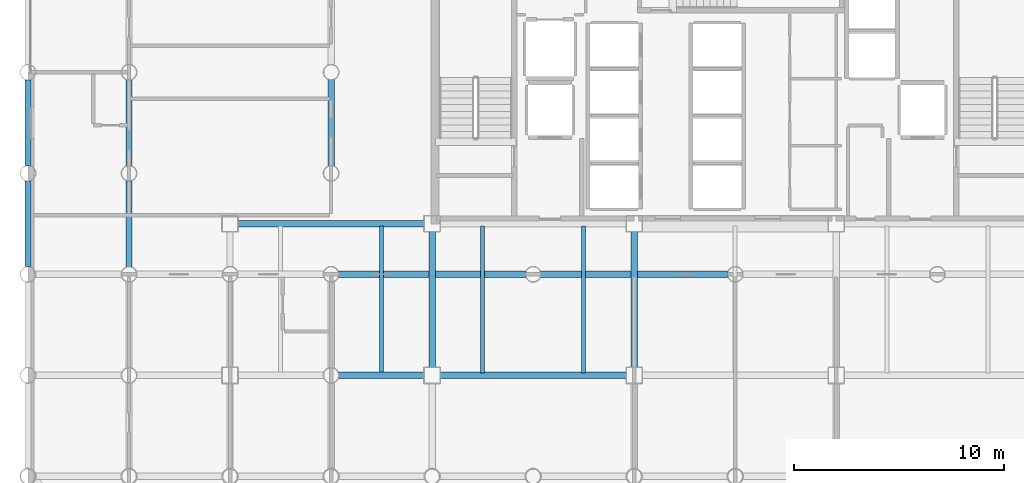
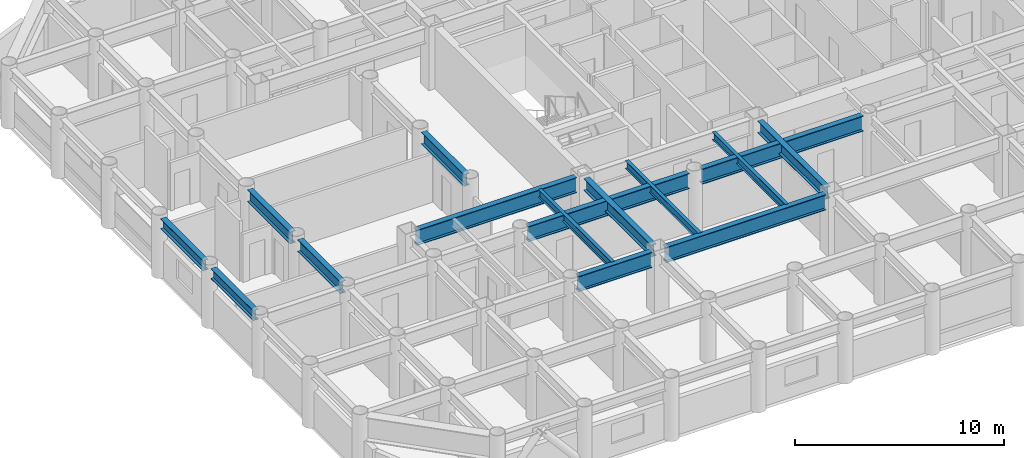
# One storey, part 3 of 21: 15 beams.
"""IFC4 building model written with IfcOpenShell, lengths in metres."""

from ifc_helpers import new_model, si_unit, direction, frame, origin, origin_2d, place, context, subcontext, project, spatial, i_section, extrude, material, material_profile, profile_set, type_object, element, save


model = new_model("IFC4")

# Units and contexts
model_context = context("Model", 3, precision=1e-05, world=origin(), true_north=direction((0.0, 1.0)))
body_context = subcontext(model_context, "Body", "Model", "MODEL_VIEW")
ifc_project = project(units=[si_unit("LENGTHUNIT", "METRE"), si_unit("AREAUNIT", "SQUARE_METRE"), si_unit("VOLUMEUNIT", "CUBIC_METRE"), si_unit("PLANEANGLEUNIT", "RADIAN"), si_unit("MASSUNIT", "GRAM", prefix="KILO")], contexts=[model_context])

# Site, building, storey
site_placement = place(None, origin())
site = spatial("IfcSite", under=ifc_project, at=site_placement, CompositionType="ELEMENT")
building_placement = place(site_placement, origin())
building = spatial("IfcBuilding", under=site, at=building_placement, Name="Kallvorn Hotel Tower", CompositionType="ELEMENT")
storey_placement = place(building_placement, frame((0.0, 0.0, 52.199951171875)))
storey = spatial("IfcBuildingStorey", under=building, at=storey_placement, Name="L11", CompositionType="ELEMENT", Elevation=52.199951171875)

# Beams
ifc_material_1 = material(Name="Structural steel S355JR", Category="steel")
ifc_material_profile_1 = material_profile(ifc_material_1, i_section(OverallWidth=0.300048828125, OverallDepth=0.60009765625, WebThickness=0.015380859375, FlangeThickness=0.030029296875, at=origin_2d()), Name="HE 600 B")
ifc_profile_set_1 = profile_set([ifc_material_profile_1], Name="Structural steel S355JR")
beam_type_1 = type_object("IfcBeamType", Name="BM_HE600B", PredefinedType="SPANDREL", material=ifc_profile_set_1)
beam_1_placement = place(storey_placement, frame((-33.60009765625, -9.22900390625, 3.219970703125), z_axis=(0.0, 1.0, 0.0), x_axis=(-1.0, 0.0, 0.0)))
element("IfcBeam", 1, at=beam_1_placement, inside=storey, type_object=beam_type_1, Name="L12 Perimeter Spandrel 176", PredefinedType="SPANDREL", context=body_context, shape_type="SweptSolid", body=[
    extrude(i_section(OverallWidth=0.300048828125, OverallDepth=0.60009765625, WebThickness=0.015380859375, FlangeThickness=0.030029296875, at=origin_2d()), origin(), (0.0, 0.0, 1.0), 4.05810546875),
])
beam_2_placement = place(storey_placement, frame((-33.60009765625, -4.428955078125, 3.219970703125), z_axis=(0.0, 1.0, 0.0), x_axis=(-1.0, 0.0, 0.0)))
element("IfcBeam", 2, at=beam_2_placement, inside=storey, type_object=beam_type_1, Name="L12 Perimeter Spandrel 177", PredefinedType="SPANDREL", context=body_context, shape_type="SweptSolid", body=[
    extrude(i_section(OverallWidth=0.300048828125, OverallDepth=0.60009765625, WebThickness=0.015380859375, FlangeThickness=0.030029296875, at=origin_2d()), origin(), (0.0, 0.0, 1.0), 4.057861328125),
])
ifc_material_2 = material(Name="Structural steel S355JR", Category="steel")
ifc_material_profile_2 = material_profile(ifc_material_2, i_section(OverallWidth=0.300048828125, OverallDepth=0.699951171875, WebThickness=0.01708984375, FlangeThickness=0.031982421875, at=origin_2d()), Name="HE 700 B")
ifc_profile_set_2 = profile_set([ifc_material_profile_2], Name="Structural steel S355JR")
beam_type_2 = type_object("IfcBeamType", Name="BM_HE700B", PredefinedType="BEAM", material=ifc_profile_set_2)
beam_3_placement = place(storey_placement, frame((-28.800048828125, -9.243896484375, 3.170166015625), z_axis=(0.0, 1.0, 0.0), x_axis=(-1.0, 0.0, 0.0)))
element("IfcBeam", 3, at=beam_3_placement, inside=storey, type_object=beam_type_2, Name="L12 Primary Y-Girder 76", PredefinedType="BEAM", context=body_context, shape_type="SweptSolid", body=[
    extrude(i_section(OverallWidth=0.300048828125, OverallDepth=0.699951171875, WebThickness=0.01708984375, FlangeThickness=0.031982421875, at=origin_2d()), origin(), (0.0, 0.0, 1.0), 4.087890625),
])
for number, where, z_axis, x_axis, name in (
    (4, (-28.800048828125, -4.444091796875, 3.170166015625), (0.0, 1.0, 0.0), (-1.0, 0.0, 0.0), "L12 Primary Y-Girder 77"),
    (5, (-19.199951171875, -4.444091796875, 3.170166015625), (0.0, 1.0, 0.0), (-1.0, 0.0, 0.0), "L12 Primary Y-Girder 93"),
):
    element("IfcBeam", number, at=place(storey_placement, frame(where, z_axis=z_axis, x_axis=x_axis)), inside=storey, type_object=beam_type_2, Name=name, PredefinedType="BEAM", context=body_context, shape_type="SweptSolid", body=[
        extrude(i_section(OverallWidth=0.300048828125, OverallDepth=0.699951171875, WebThickness=0.01708984375, FlangeThickness=0.031982421875, at=origin_2d()), origin(), (0.0, 0.0, 1.0), 4.088134765625),
    ])
for number, where, z_axis, x_axis, name in (
    (6, (-14.39990234375, -14.02490234375, 3.170166015625), (0.0, 1.0, 0.0), (-1.0, 0.0, 0.0), "L12 Primary Y-Girder 100"),
    (7, (-4.800048828125, -14.02490234375, 3.170166015625), (0.0, 1.0, 0.0), (-1.0, 0.0, 0.0), "L12 Primary Y-Girder 108"),
):
    element("IfcBeam", number, at=place(storey_placement, frame(where, z_axis=z_axis, x_axis=x_axis)), inside=storey, type_object=beam_type_2, Name=name, PredefinedType="BEAM", context=body_context, shape_type="SweptSolid", body=[
        extrude(i_section(OverallWidth=0.300048828125, OverallDepth=0.699951171875, WebThickness=0.01708984375, FlangeThickness=0.031982421875, at=origin_2d()), origin(), (0.0, 0.0, 1.0), 6.449951171875),
    ])
ifc_material_3 = material(Name="Structural steel S355JR", Category="steel")
ifc_material_profile_3 = material_profile(ifc_material_3, i_section(OverallWidth=0.300048828125, OverallDepth=0.89990234375, WebThickness=0.0185546875, FlangeThickness=0.034912109375, at=origin_2d()), Name="HE 900 B")
ifc_profile_set_3 = profile_set([ifc_material_profile_3], Name="Structural steel S355JR")
beam_type_3 = type_object("IfcBeamType", Name="BM_HE900B", PredefinedType="BEAM", material=ifc_profile_set_3)
beam_4_placement = place(storey_placement, frame((-18.843994140625, -14.39990234375, 3.070068359375), z_axis=(1.0, 0.0, 0.0), x_axis=(0.0, 1.0, 0.0)))
element("IfcBeam", 8, at=beam_4_placement, inside=storey, type_object=beam_type_3, Name="L12 Primary X-Girder 17", PredefinedType="BEAM", context=body_context, shape_type="SweptSolid", body=[
    extrude(i_section(OverallWidth=0.300048828125, OverallDepth=0.89990234375, WebThickness=0.0185546875, FlangeThickness=0.034912109375, at=origin_2d()), origin(), (0.0, 0.0, 1.0), 4.069091796875),
])
beam_5_placement = place(storey_placement, frame((-14.02490234375, -14.39990234375, 3.070068359375), z_axis=(1.0, 0.0, 0.0), x_axis=(0.0, 1.0, 0.0)))
element("IfcBeam", 9, at=beam_5_placement, inside=storey, type_object=beam_type_3, Name="L12 Primary X-Girder 18", PredefinedType="BEAM", context=body_context, shape_type="SweptSolid", body=[
    extrude(i_section(OverallWidth=0.300048828125, OverallDepth=0.89990234375, WebThickness=0.0185546875, FlangeThickness=0.034912109375, at=origin_2d()), origin(), (0.0, 0.0, 1.0), 8.849853515625),
])
for number, where, z_axis, x_axis, name in (
    (10, (-18.843994140625, -9.60009765625, 3.070068359375), (1.0, 0.0, 0.0), (0.0, 1.0, 0.0), "L12 Primary X-Girder 27"),
    (11, (-9.243896484375, -9.60009765625, 3.070068359375), (1.0, 0.0, 0.0), (0.0, 1.0, 0.0), "L12 Primary X-Girder 28"),
):
    element("IfcBeam", number, at=place(storey_placement, frame(where, z_axis=z_axis, x_axis=x_axis)), inside=storey, type_object=beam_type_3, Name=name, PredefinedType="BEAM", context=body_context, shape_type="SweptSolid", body=[
        extrude(i_section(OverallWidth=0.300048828125, OverallDepth=0.89990234375, WebThickness=0.0185546875, FlangeThickness=0.034912109375, at=origin_2d()), origin(), (0.0, 0.0, 1.0), 8.887939453125),
    ])
beam_6_placement = place(storey_placement, frame((-23.625, -7.199951171875, 3.070068359375), z_axis=(1.0, 0.0, 0.0), x_axis=(0.0, 1.0, 0.0)))
element("IfcBeam", 12, at=beam_6_placement, inside=storey, type_object=beam_type_3, Name="L12 Primary X-Girder 33", PredefinedType="BEAM", context=body_context, shape_type="SweptSolid", body=[
    extrude(i_section(OverallWidth=0.300048828125, OverallDepth=0.89990234375, WebThickness=0.0185546875, FlangeThickness=0.034912109375, at=origin_2d()), origin(), (0.0, 0.0, 1.0), 8.85009765625),
])
ifc_material_4 = material(Name="Structural steel S355JR", Category="steel")
ifc_material_profile_4 = material_profile(ifc_material_4, i_section(OverallWidth=0.18994140625, OverallDepth=0.449951171875, WebThickness=0.009521484375, FlangeThickness=0.0146484375, at=origin_2d()), Name="IPE 450")
ifc_profile_set_4 = profile_set([ifc_material_profile_4], Name="Structural steel S355JR")
beam_type_4 = type_object("IfcBeamType", Name="BM_IPE450", PredefinedType="JOIST", material=ifc_profile_set_4)
for number, where, z_axis, x_axis, name in (
    (13, (-16.800048828125, -14.300048828125, 3.295166015625), (0.0, 1.0, 0.0), (-1.0, 0.0, 0.0), "L12 Secondary Composite Joist 194"),
    (14, (-12.0, -14.300048828125, 3.295166015625), (0.0, 1.0, 0.0), (-1.0, 0.0, 0.0), "L12 Secondary Composite Joist 196"),
    (15, (-7.199951171875, -14.300048828125, 3.295166015625), (0.0, 1.0, 0.0), (-1.0, 0.0, 0.0), "L12 Secondary Composite Joist 198"),
):
    element("IfcBeam", number, at=place(storey_placement, frame(where, z_axis=z_axis, x_axis=x_axis)), inside=storey, type_object=beam_type_4, Name=name, PredefinedType="JOIST", context=body_context, shape_type="SweptSolid", body=[
        extrude(i_section(OverallWidth=0.18994140625, OverallDepth=0.449951171875, WebThickness=0.009521484375, FlangeThickness=0.0146484375, at=origin_2d()), origin(), (0.0, 0.0, 1.0), 7.0),
    ])

save(model, "model.ifc")
